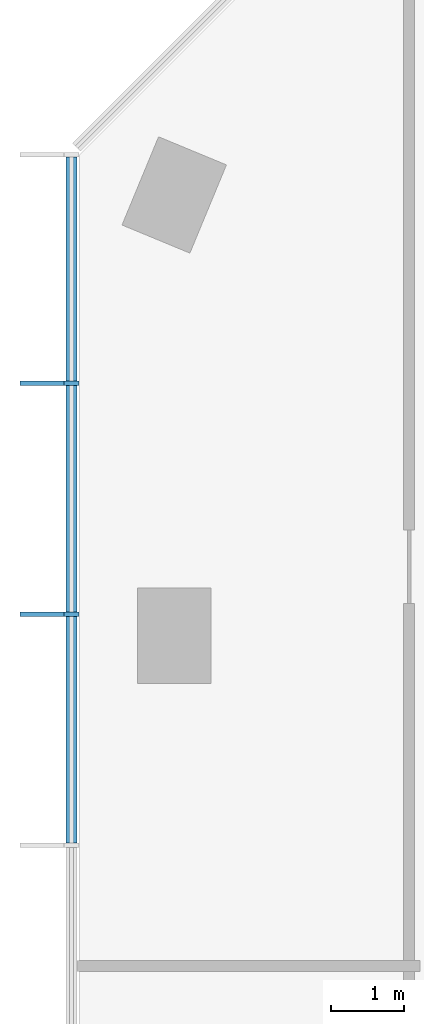
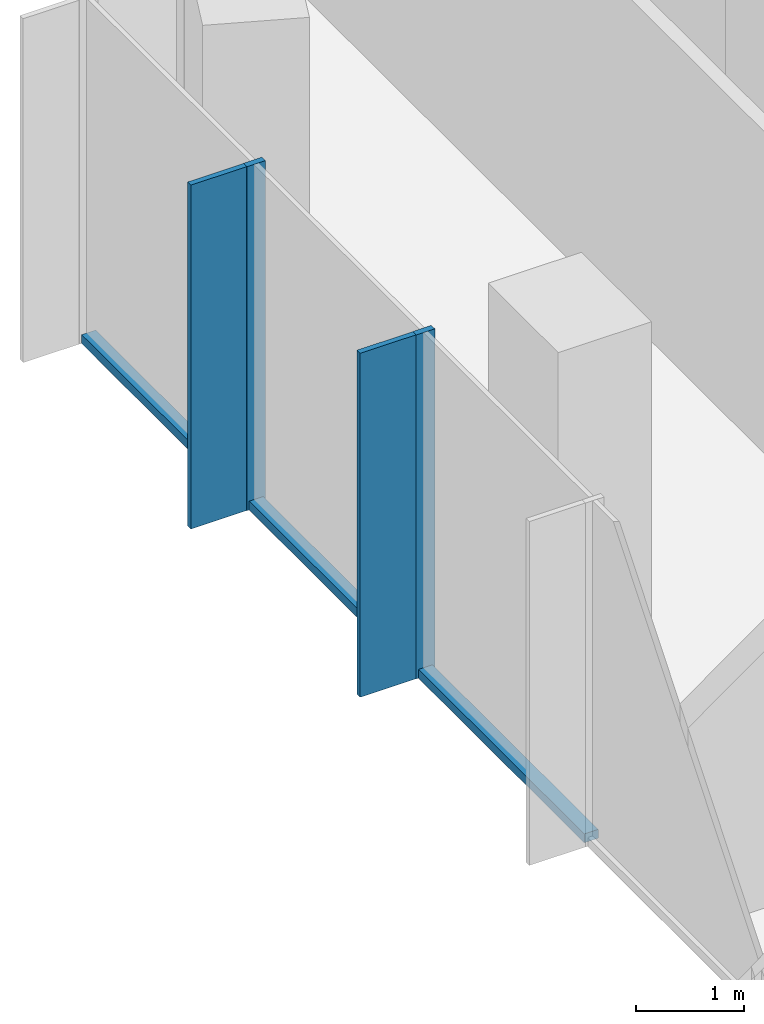
# One storey, part 3 of 11: 7 members, 1 element without a shape of its own.
"""IFC4 building model written with IfcOpenShell, lengths in metres."""

from ifc_helpers import new_model, si_unit, direction, frame, origin, origin_2d, place, context, subcontext, project, spatial, rectangle, extrude, material, layer, layer_set, material_profile, profile_set, type_object, element, aggregate, save


model = new_model("IFC4")

# Units and contexts
model_context = context("Model", 3, precision=1e-05, world=origin(), true_north=direction((0.0, 1.0)))
body_context = subcontext(model_context, "Body", "Model", "MODEL_VIEW")
ifc_project = project(units=[si_unit("LENGTHUNIT", "METRE"), si_unit("AREAUNIT", "SQUARE_METRE"), si_unit("VOLUMEUNIT", "CUBIC_METRE"), si_unit("PLANEANGLEUNIT", "RADIAN"), si_unit("MASSUNIT", "GRAM", prefix="KILO")], contexts=[model_context])

# Site, building, storey
site_placement = place(None, origin())
site = spatial("IfcSite", under=ifc_project, at=site_placement, CompositionType="ELEMENT")
building_placement = place(site_placement, origin())
building = spatial("IfcBuilding", under=site, at=building_placement, Name="Highveld Stack Headquarters", CompositionType="ELEMENT")
storey_placement = place(building_placement, frame((0.0, 0.0, 260.60009765625)))
storey = spatial("IfcBuildingStorey", under=building, at=storey_placement, Name="L64", CompositionType="ELEMENT", Elevation=260.60009765625)

# Curtain wall, members
ifc_material_1 = material(Name="Aluminium bronze anodised", Category="aluminium")
ifc_layer = layer(ifc_material_1, 0.199951171875)
ifc_layer_set = layer_set([ifc_layer], Name="Aluminium bronze anodised")
curtain_wall_type = type_object("IfcCurtainWallType", Name="CW5 EXECUTIVE UNITISED CURTAIN WALL", PredefinedType="NOTDEFINED", material=ifc_layer_set)
curtain_wall_placement = place(storey_placement, origin())
curtain_wall = element("IfcCurtainWall", 1, at=curtain_wall_placement, inside=storey, type_object=curtain_wall_type, Name="Curtain wall CW5 L64 W", PredefinedType="NOTDEFINED")
ifc_material_2 = material(Name="Aluminium bronze anodised", Category="aluminium")
ifc_material_profile_1 = material_profile(ifc_material_2, rectangle(XDim=0.60009765625, YDim=0.06005859375, at=origin_2d()), Name="FIN 600x60")
ifc_profile_set_1 = profile_set([ifc_material_profile_1], Name="Aluminium bronze anodised")
member_type_1 = type_object("IfcMemberType", Name="CW5 BRONZE FIN 600x60", PredefinedType="USERDEFINED", material=ifc_profile_set_1)
member_1_placement = place(storey_placement, frame((-13.800048828125, 15.434814453125, 0.0), z_axis=(0.0, 0.0, 1.0), x_axis=(1.0, 0.0, 0.0)))
member_1 = element("IfcMember", 2, at=member_1_placement, type_object=member_type_1, Name="CW5 fin L64 2", ObjectType="FIN", PredefinedType="USERDEFINED", context=body_context, shape_type="SweptSolid", body=[
    extrude(rectangle(XDim=0.60009765625, YDim=0.06005859375, at=origin_2d()), origin(), (0.0, 0.0, 1.0), 3.89990234375),
])
member_2_placement = place(storey_placement, frame((-13.800048828125, 12.289794921875, 0.0), z_axis=(0.0, 0.0, 1.0), x_axis=(1.0, 0.0, 0.0)))
member_2 = element("IfcMember", 3, at=member_2_placement, type_object=member_type_1, Name="CW5 fin L64 3", ObjectType="FIN", PredefinedType="USERDEFINED", context=body_context, shape_type="SweptSolid", body=[
    extrude(rectangle(XDim=0.60009765625, YDim=0.06005859375, at=origin_2d()), origin(), (0.0, 0.0, 1.0), 3.89990234375),
])
ifc_material_3 = material(Name="Aluminium bronze anodised", Category="aluminium")
ifc_material_profile_2 = material_profile(ifc_material_3, rectangle(XDim=0.199951171875, YDim=0.06494140625, at=origin_2d()), Name="CW5 MULLION 65x200")
ifc_profile_set_2 = profile_set([ifc_material_profile_2], Name="Aluminium bronze anodised")
member_type_2 = type_object("IfcMemberType", Name="CW5 MULLION 65x200", PredefinedType="MULLION", material=ifc_profile_set_2)
member_3_placement = place(storey_placement, frame((-13.39990234375, 15.434814453125, 0.0), z_axis=(0.0, 0.0, 1.0), x_axis=(1.0, 0.0, 0.0)))
member_3 = element("IfcMember", 4, at=member_3_placement, type_object=member_type_2, Name="CW5 mullion L64 2", PredefinedType="MULLION", context=body_context, shape_type="SweptSolid", body=[
    extrude(rectangle(XDim=0.199951171875, YDim=0.06494140625, at=origin_2d()), origin(), (0.0, 0.0, 1.0), 3.89990234375),
])
member_4_placement = place(storey_placement, frame((-13.39990234375, 12.289794921875, 0.0), z_axis=(0.0, 0.0, 1.0), x_axis=(1.0, 0.0, 0.0)))
member_4 = element("IfcMember", 5, at=member_4_placement, type_object=member_type_2, Name="CW5 mullion L64 3", PredefinedType="MULLION", context=body_context, shape_type="SweptSolid", body=[
    extrude(rectangle(XDim=0.199951171875, YDim=0.06494140625, at=origin_2d()), origin(), (0.0, 0.0, 1.0), 3.89990234375),
])
ifc_material_4 = material(Name="Aluminium bronze anodised", Category="aluminium")
ifc_material_profile_3 = material_profile(ifc_material_4, rectangle(XDim=0.14990234375, YDim=0.10009765625, at=origin_2d()), Name="CW5 TRANSOM 150x100")
ifc_profile_set_3 = profile_set([ifc_material_profile_3], Name="Aluminium bronze anodised")
member_type_3 = type_object("IfcMemberType", Name="CW5 STACK TRANSOM 150x100", PredefinedType="USERDEFINED", material=ifc_profile_set_3)
member_5_placement = place(storey_placement, frame((-13.39990234375, 18.514892578125, 0.0498046875), z_axis=(0.0, -1.0, 0.0), x_axis=(1.0, 0.0, 0.0)))
member_5 = element("IfcMember", 6, at=member_5_placement, type_object=member_type_3, Name="CW5 transom L64 1.1", ObjectType="TRANSOM", PredefinedType="USERDEFINED", context=body_context, shape_type="SweptSolid", body=[
    extrude(rectangle(XDim=0.14990234375, YDim=0.10009765625, at=origin_2d()), origin(), (0.0, 0.0, 1.0), 3.047607421875),
])
member_6_placement = place(storey_placement, frame((-13.39990234375, 15.40234375, 0.0498046875), z_axis=(0.0, -1.0, 0.0), x_axis=(1.0, 0.0, 0.0)))
member_6 = element("IfcMember", 7, at=member_6_placement, type_object=member_type_3, Name="CW5 transom L64 2.1", ObjectType="TRANSOM", PredefinedType="USERDEFINED", context=body_context, shape_type="SweptSolid", body=[
    extrude(rectangle(XDim=0.14990234375, YDim=0.10009765625, at=origin_2d()), origin(), (0.0, 0.0, 1.0), 3.079833984375),
])
member_7_placement = place(storey_placement, frame((-13.39990234375, 12.25732421875, 0.0498046875), z_axis=(0.0, -1.0, 0.0), x_axis=(1.0, 0.0, 0.0)))
member_7 = element("IfcMember", 8, at=member_7_placement, type_object=member_type_3, Name="CW5 transom L64 3.1", ObjectType="TRANSOM", PredefinedType="USERDEFINED", context=body_context, shape_type="SweptSolid", body=[
    extrude(rectangle(XDim=0.14990234375, YDim=0.10009765625, at=origin_2d()), origin(), (0.0, 0.0, 1.0), 3.079833984375),
])
aggregate(curtain_wall, [member_3, member_1, member_4, member_2, member_5, member_6, member_7])

save(model, "model.ifc")
